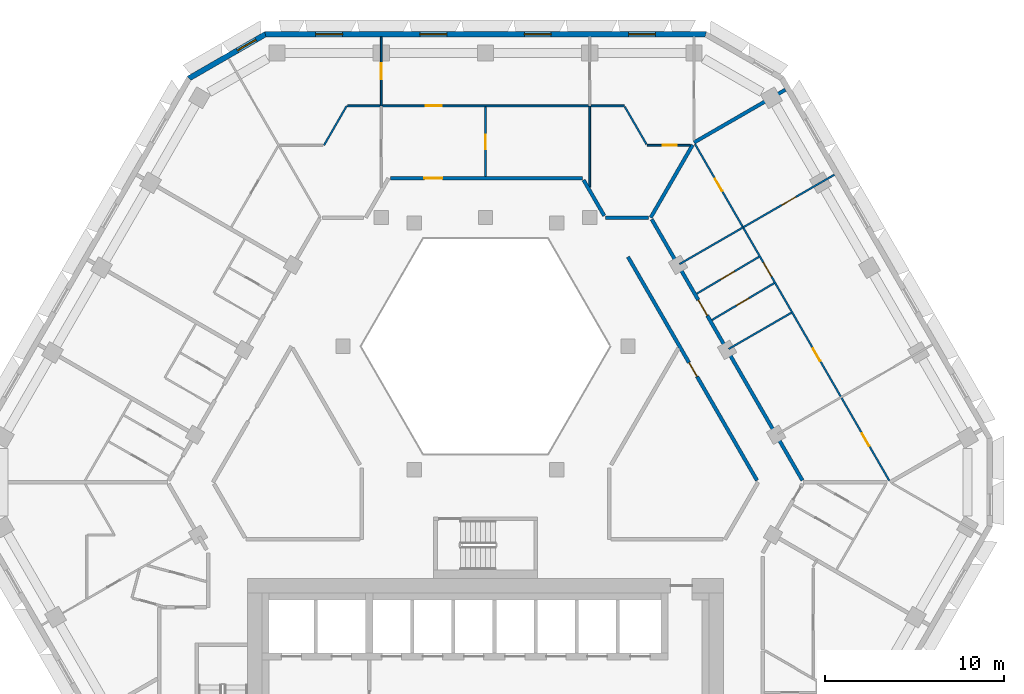
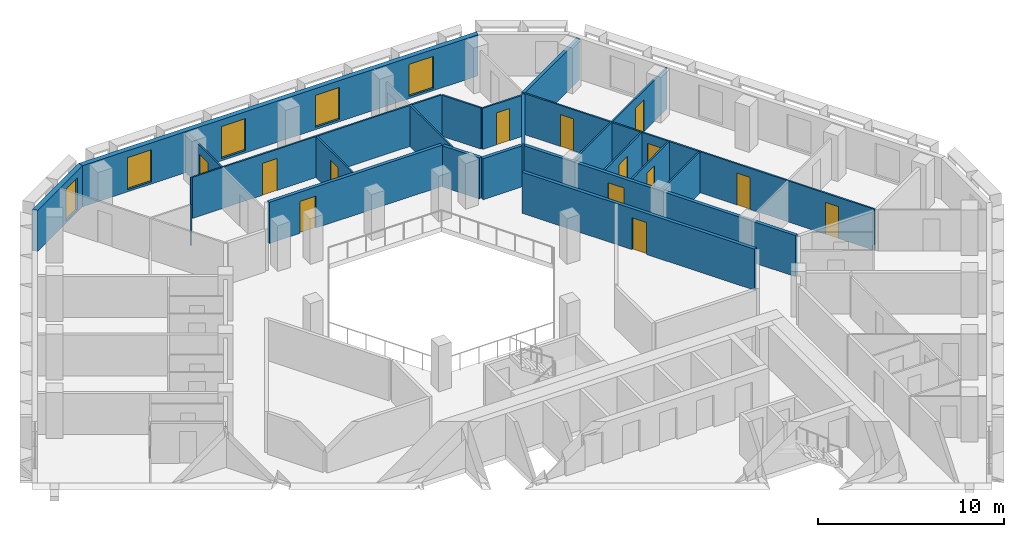
# One storey, part 8 of 15: 22 walls, 14 doors, 5 windows, 19 openings.
"""IFC4 building model written with IfcOpenShell, lengths in metres."""

from ifc_helpers import new_model, si_unit, direction, frame, frame_2d, origin, place, context, subcontext, project, spatial, polyline, rectangle, outline, extrude, material, layer, layer_set, type_object, element, fill, save


model = new_model("IFC4")

# Units and contexts
model_context = context("Model", 3, precision=1e-05, world=origin(), true_north=direction((0.0, 1.0)))
body_context = subcontext(model_context, "Body", "Model", "MODEL_VIEW")
ifc_project = project(units=[si_unit("LENGTHUNIT", "METRE"), si_unit("AREAUNIT", "SQUARE_METRE"), si_unit("VOLUMEUNIT", "CUBIC_METRE"), si_unit("PLANEANGLEUNIT", "RADIAN"), si_unit("MASSUNIT", "GRAM", prefix="KILO")], contexts=[model_context])

# Site, building, storey
site_placement = place(None, origin())
site = spatial("IfcSite", under=ifc_project, at=site_placement, CompositionType="ELEMENT")
building_placement = place(site_placement, origin())
building = spatial("IfcBuilding", under=site, at=building_placement, Name="Beryl Residences", CompositionType="ELEMENT")
storey_placement = place(building_placement, frame((0.0, 0.0, 135.60009765625)))
storey = spatial("IfcBuildingStorey", under=building, at=storey_placement, Name="L41", CompositionType="ELEMENT", Elevation=135.60009765625)

# Wall, openings, windows
ifc_material_1 = material(Name="Composite metal panel with mineral wool insulation")
ifc_layer_1 = layer(ifc_material_1, 0.300048828125)
ifc_layer_set_1 = layer_set([ifc_layer_1], Name="ES1 pale metal composite panel wall 300 mm")
wall_type_1 = type_object("IfcWallType", Name="ES1 pale metal composite panel wall 300 mm", PredefinedType="SOLIDWALL", material=ifc_layer_set_1)
wall_1_placement = place(storey_placement, frame((12.35498046875, 25.449951171875, 0.0), z_axis=(0.0, 0.0, 1.0), x_axis=(-1.0, 0.0, 0.0)))
wall_1 = element("IfcWall", 1, at=wall_1_placement, inside=storey, type_object=wall_type_1, Name="ES1 external wall L41 N", PredefinedType="SOLIDWALL", context=body_context, shape_type="SweptSolid", body=[
    extrude(outline(polyline([(0.0, -0.14990234375), (24.7099609375, -0.14990234375), (24.629638671875, 0.14990234375), (0.080322265625, 0.14990234375), (0.0, -0.14990234375)])), origin(), (0.0, 0.0, 1.0), 2.699951171875),
])
opening_1_placement = place(wall_1_placement, frame((2.85791015625, 0.0, 0.14990234375)))
opening_1 = element("IfcOpeningElement", 2, at=opening_1_placement, cuts=wall_1, Name="Opening W1", PredefinedType="OPENING", context=body_context, shape_type="SweptSolid", body=[
    extrude(rectangle(XDim=1.5, YDim=2.10009765625, at=frame_2d((0.75, 1.050048828125))), frame((0.0, 0.159912109375, 0.0), z_axis=(0.0, -1.0, 0.0), x_axis=(1.0, 0.0, 0.0)), (0.0, 0.0, 1.0), 0.320068359375),
])
opening_2_placement = place(wall_1_placement, frame((8.68896484375, 0.0, 0.14990234375)))
opening_2 = element("IfcOpeningElement", 3, at=opening_2_placement, cuts=wall_1, Name="Opening W1", PredefinedType="OPENING", context=body_context, shape_type="SweptSolid", body=[
    extrude(rectangle(XDim=1.5, YDim=2.10009765625, at=frame_2d((0.75, 1.050048828125))), frame((0.0, 0.159912109375, 0.0), z_axis=(0.0, -1.0, 0.0), x_axis=(1.0, 0.0, 0.0)), (0.0, 0.0, 1.0), 0.320068359375),
])
opening_3_placement = place(wall_1_placement, frame((14.52099609375, 0.0, 0.14990234375)))
opening_3 = element("IfcOpeningElement", 4, at=opening_3_placement, cuts=wall_1, Name="Opening W1", PredefinedType="OPENING", context=body_context, shape_type="SweptSolid", body=[
    extrude(rectangle(XDim=1.5, YDim=2.10009765625, at=frame_2d((0.75, 1.050048828125))), frame((0.0, 0.159912109375, 0.0), z_axis=(0.0, -1.0, 0.0), x_axis=(1.0, 0.0, 0.0)), (0.0, 0.0, 1.0), 0.320068359375),
])
opening_4_placement = place(wall_1_placement, frame((20.35205078125, 0.0, 0.14990234375)))
opening_4 = element("IfcOpeningElement", 5, at=opening_4_placement, cuts=wall_1, Name="Opening W1", PredefinedType="OPENING", context=body_context, shape_type="SweptSolid", body=[
    extrude(rectangle(XDim=1.5, YDim=2.10009765625, at=frame_2d((0.75, 1.050048828125))), frame((0.0, 0.159912109375, 0.0), z_axis=(0.0, -1.0, 0.0), x_axis=(1.0, 0.0, 0.0)), (0.0, 0.0, 1.0), 0.320068359375),
])
ifc_material_2 = material(Name="Aluminium and clear glass", Category="aluminium")
window_type_1 = type_object("IfcWindowType", Name="W1 cell window 1500 x 2100 mm", PartitioningType="SINGLE_PANEL", PredefinedType="WINDOW", material=ifc_material_2)
window_1_placement = place(opening_1_placement, origin())
window_1 = element("IfcWindow", 6, at=window_1_placement, inside=storey, type_object=window_type_1, Name="W1 window L41 N 2", OverallHeight=2.10009765625, OverallWidth=1.5, PartitioningType="SINGLE_PANEL", PredefinedType="WINDOW", context=body_context, shape_type="SweptSolid", body=[
    extrude(rectangle(XDim=1.5, YDim=2.10009765625, at=frame_2d((0.75, 1.050048828125))), frame((0.0, 0.030029296875, 0.0), z_axis=(0.0, -1.0, 0.0), x_axis=(1.0, 0.0, 0.0)), (0.0, 0.0, 1.0), 0.06005859375),
])
fill(opening_1, window_1)
window_2_placement = place(opening_2_placement, origin())
window_2 = element("IfcWindow", 7, at=window_2_placement, inside=storey, type_object=window_type_1, Name="W1 window L41 N 4", OverallHeight=2.10009765625, OverallWidth=1.5, PartitioningType="SINGLE_PANEL", PredefinedType="WINDOW", context=body_context, shape_type="SweptSolid", body=[
    extrude(rectangle(XDim=1.5, YDim=2.10009765625, at=frame_2d((0.75, 1.050048828125))), frame((0.0, 0.030029296875, 0.0), z_axis=(0.0, -1.0, 0.0), x_axis=(1.0, 0.0, 0.0)), (0.0, 0.0, 1.0), 0.06005859375),
])
fill(opening_2, window_2)
window_3_placement = place(opening_3_placement, origin())
window_3 = element("IfcWindow", 8, at=window_3_placement, inside=storey, type_object=window_type_1, Name="W1 window L41 N 6", OverallHeight=2.10009765625, OverallWidth=1.5, PartitioningType="SINGLE_PANEL", PredefinedType="WINDOW", context=body_context, shape_type="SweptSolid", body=[
    extrude(rectangle(XDim=1.5, YDim=2.10009765625, at=frame_2d((0.75, 1.050048828125))), frame((0.0, 0.030029296875, 0.0), z_axis=(0.0, -1.0, 0.0), x_axis=(1.0, 0.0, 0.0)), (0.0, 0.0, 1.0), 0.06005859375),
])
fill(opening_3, window_3)
window_4_placement = place(opening_4_placement, origin())
window_4 = element("IfcWindow", 9, at=window_4_placement, inside=storey, type_object=window_type_1, Name="W1 window L41 N 8", OverallHeight=2.10009765625, OverallWidth=1.5, PartitioningType="SINGLE_PANEL", PredefinedType="WINDOW", context=body_context, shape_type="SweptSolid", body=[
    extrude(rectangle(XDim=1.5, YDim=2.10009765625, at=frame_2d((0.75, 1.050048828125))), frame((0.0, 0.030029296875, 0.0), z_axis=(0.0, -1.0, 0.0), x_axis=(1.0, 0.0, 0.0)), (0.0, 0.0, 1.0), 0.06005859375),
])
fill(opening_4, window_4)

# Wall, opening, window
wall_2_placement = place(storey_placement, frame((-12.280029296875, 25.469970703125, 0.0), z_axis=(0.0, 0.0, 1.0), x_axis=(-0.866022959057, -0.500004234368, 0.0)))
wall_2 = element("IfcWall", 10, at=wall_2_placement, inside=storey, type_object=wall_type_1, Name="ES1 external wall L41 N-NW", PredefinedType="SOLIDWALL", context=body_context, shape_type="SweptSolid", body=[
    extrude(outline(polyline([(0.0, -0.14990234375), (5.0, -0.14990234375), (4.919677734375, 0.14990234375), (0.080322265625, 0.14990234375), (0.0, -0.14990234375)])), origin(), (0.0, 0.0, 1.0), 2.699951171875),
])
opening_5_placement = place(wall_2_placement, frame((0.64990234375, 0.0, 0.14990234375)))
opening_5 = element("IfcOpeningElement", 11, at=opening_5_placement, cuts=wall_2, Name="Opening W2", PredefinedType="OPENING", context=body_context, shape_type="SweptSolid", body=[
    extrude(rectangle(XDim=1.199951171875, YDim=2.10009765625, at=frame_2d((0.60009765625, 1.050048828125))), frame((0.0, 0.159912109375, 0.0), z_axis=(0.0, -1.0, 0.0), x_axis=(1.0, 0.0, 0.0)), (0.0, 0.0, 1.0), 0.320068359375),
])
ifc_material_3 = material(Name="Aluminium and clear glass", Category="aluminium")
window_type_2 = type_object("IfcWindowType", Name="W2 chamfer window 1200 x 2100 mm", PartitioningType="SINGLE_PANEL", PredefinedType="WINDOW", material=ifc_material_3)
window_5_placement = place(opening_5_placement, origin())
window_5 = element("IfcWindow", 12, at=window_5_placement, inside=storey, type_object=window_type_2, Name="W2 window L41 N-NW 1", OverallHeight=2.10009765625, OverallWidth=1.199951171875, PartitioningType="SINGLE_PANEL", PredefinedType="WINDOW", context=body_context, shape_type="SweptSolid", body=[
    extrude(rectangle(XDim=1.199951171875, YDim=2.10009765625, at=frame_2d((0.60009765625, 1.050048828125))), frame((0.0, 0.030029296875, 0.0), z_axis=(0.0, -1.0, 0.0), x_axis=(1.0, 0.0, 0.0)), (0.0, 0.0, 1.0), 0.06005859375),
])
fill(opening_5, window_5)

# Wall
ifc_material_4 = material(Name="Gypsum board partition on steel studs", Category="steel")
ifc_layer_2 = layer(ifc_material_4, 0.10009765625)
ifc_layer_set_2 = layer_set([ifc_layer_2], Name="PT1 partition 100 mm gypsum board on steel studs")
wall_type_2 = type_object("IfcWallType", Name="PT1 partition 100 mm gypsum board on steel studs", PredefinedType="PARTITIONING", material=ifc_layer_set_2)
wall_3_placement = place(storey_placement, frame((7.7919921875, 21.39599609375, 0.0), z_axis=(0.0, 0.0, 1.0), x_axis=(0.50012328804, -0.865954211699, 0.0)))
element("IfcWall", 13, at=wall_3_placement, inside=storey, type_object=wall_type_2, Name="Wall PT1 L41 003", PredefinedType="PARTITIONING", context=body_context, shape_type="SweptSolid", body=[
    extrude(rectangle(XDim=2.42529296875, YDim=0.10009765625, at=frame_2d((1.212646484375, 0.0))), origin(), (0.0, 0.0, 1.0), 2.699951171875),
])

# Wall, openings, doors
wall_4_placement = place(storey_placement, frame((11.712890625, 19.31298828125, 0.0), z_axis=(0.0, 0.0, 1.0), x_axis=(0.499999523185, -0.866025679073, 0.0)))
wall_4 = element("IfcWall", 14, at=wall_4_placement, inside=storey, type_object=wall_type_2, Name="Wall PT1 L41 004", PredefinedType="PARTITIONING", context=body_context, shape_type="SweptSolid", body=[
    extrude(rectangle(XDim=21.73828125, YDim=0.10009765625, at=frame_2d((10.869140625, 0.0))), origin(), (0.0, 0.0, 1.0), 2.699951171875),
])
opening_6_placement = place(wall_4_placement, frame((7.654052734375, 0.0, 0.0)))
opening_6 = element("IfcOpeningElement", 15, at=opening_6_placement, cuts=wall_4, Name="Opening D1322", PredefinedType="OPENING", context=body_context, shape_type="SweptSolid", body=[
    extrude(rectangle(XDim=0.89990234375, YDim=2.10009765625, at=frame_2d((0.449951171875, 1.050048828125))), frame((0.0, 0.06005859375, 0.0), z_axis=(0.0, -1.0, 0.0), x_axis=(1.0, 0.0, 0.0)), (0.0, 0.0, 1.0), 0.1201171875),
])
opening_7_placement = place(wall_4_placement, frame((13.201904296875, 0.0, 0.0)))
opening_7 = element("IfcOpeningElement", 16, at=opening_7_placement, cuts=wall_4, Name="Opening D1325", PredefinedType="OPENING", context=body_context, shape_type="SweptSolid", body=[
    extrude(rectangle(XDim=0.800048828125, YDim=2.10009765625, at=frame_2d((0.39990234375, 1.050048828125))), frame((0.0, 0.06005859375, 0.0), z_axis=(0.0, -1.0, 0.0), x_axis=(1.0, 0.0, 0.0)), (0.0, 0.0, 1.0), 0.1201171875),
])
opening_8_placement = place(wall_4_placement, frame((2.241943359375, 0.0, 0.0)))
opening_8 = element("IfcOpeningElement", 17, at=opening_8_placement, cuts=wall_4, Name="Opening D1326", PredefinedType="OPENING", context=body_context, shape_type="SweptSolid", body=[
    extrude(rectangle(XDim=0.800048828125, YDim=2.10009765625, at=frame_2d((0.39990234375, 1.050048828125))), frame((0.0, 0.06005859375, 0.0), z_axis=(0.0, -1.0, 0.0), x_axis=(1.0, 0.0, 0.0)), (0.0, 0.0, 1.0), 0.1201171875),
])
opening_9_placement = place(wall_4_placement, frame((18.696044921875, 0.0, 0.0)))
opening_9 = element("IfcOpeningElement", 18, at=opening_9_placement, cuts=wall_4, Name="Opening D1327", PredefinedType="OPENING", context=body_context, shape_type="SweptSolid", body=[
    extrude(rectangle(XDim=0.800048828125, YDim=2.10009765625, at=frame_2d((0.39990234375, 1.050048828125))), frame((0.0, 0.06005859375, 0.0), z_axis=(0.0, -1.0, 0.0), x_axis=(1.0, 0.0, 0.0)), (0.0, 0.0, 1.0), 0.1201171875),
])
ifc_material_5 = material(Name="Timber door leaf", Category="wood")
door_type_1 = type_object("IfcDoorType", Name="D2 room door 900 x 2100 mm", OperationType="SINGLE_SWING_LEFT", PredefinedType="DOOR", material=ifc_material_5)
door_1_placement = place(opening_6_placement, origin())
door_1 = element("IfcDoor", 19, at=door_1_placement, inside=storey, type_object=door_type_1, Name="Door D1322 L41 001", OperationType="SINGLE_SWING_RIGHT", OverallHeight=2.10009765625, OverallWidth=0.89990234375, PredefinedType="DOOR", context=body_context, shape_type="SweptSolid", body=[
    extrude(rectangle(XDim=0.89990234375, YDim=2.10009765625, at=frame_2d((0.449951171875, 1.050048828125))), frame((0.0, 0.02490234375, 0.0), z_axis=(0.0, -1.0, 0.0), x_axis=(1.0, 0.0, 0.0)), (0.0, 0.0, 1.0), 0.050048828125),
])
fill(opening_6, door_1)
ifc_material_6 = material(Name="Timber door leaf", Category="wood")
door_type_2 = type_object("IfcDoorType", Name="D3 bathroom door 800 x 2100 mm", OperationType="SINGLE_SWING_LEFT", PredefinedType="DOOR", material=ifc_material_6)
door_2_placement = place(opening_7_placement, origin())
door_2 = element("IfcDoor", 20, at=door_2_placement, inside=storey, type_object=door_type_2, Name="Door D1325 L41 001", OperationType="SINGLE_SWING_LEFT", OverallHeight=2.10009765625, OverallWidth=0.800048828125, PredefinedType="DOOR", context=body_context, shape_type="SweptSolid", body=[
    extrude(rectangle(XDim=0.800048828125, YDim=2.10009765625, at=frame_2d((0.39990234375, 1.050048828125))), frame((0.0, 0.02490234375, 0.0), z_axis=(0.0, -1.0, 0.0), x_axis=(1.0, 0.0, 0.0)), (0.0, 0.0, 1.0), 0.050048828125),
])
fill(opening_7, door_2)
door_3_placement = place(opening_8_placement, origin())
door_3 = element("IfcDoor", 21, at=door_3_placement, inside=storey, type_object=door_type_2, Name="Door D1326 L41 001", OperationType="SINGLE_SWING_RIGHT", OverallHeight=2.10009765625, OverallWidth=0.800048828125, PredefinedType="DOOR", context=body_context, shape_type="SweptSolid", body=[
    extrude(rectangle(XDim=0.800048828125, YDim=2.10009765625, at=frame_2d((0.39990234375, 1.050048828125))), frame((0.0, 0.02490234375, 0.0), z_axis=(0.0, -1.0, 0.0), x_axis=(1.0, 0.0, 0.0)), (0.0, 0.0, 1.0), 0.050048828125),
])
fill(opening_8, door_3)
door_4_placement = place(opening_9_placement, origin())
door_4 = element("IfcDoor", 22, at=door_4_placement, inside=storey, type_object=door_type_2, Name="Door D1327 L41 001", OperationType="SINGLE_SWING_LEFT", OverallHeight=2.10009765625, OverallWidth=0.800048828125, PredefinedType="DOOR", context=body_context, shape_type="SweptSolid", body=[
    extrude(rectangle(XDim=0.800048828125, YDim=2.10009765625, at=frame_2d((0.39990234375, 1.050048828125))), frame((0.0, 0.02490234375, 0.0), z_axis=(0.0, -1.0, 0.0), x_axis=(1.0, 0.0, 0.0)), (0.0, 0.0, 1.0), 0.050048828125),
])
fill(opening_9, door_4)

# Wall, opening, door
wall_5_placement = place(storey_placement, frame((9.032958984375, 19.24609375, 0.0), z_axis=(0.0, 0.0, 1.0), x_axis=(1.0, 0.0, 0.0)))
wall_5 = element("IfcWall", 23, at=wall_5_placement, inside=storey, type_object=wall_type_2, Name="Wall PT1 L41 026", PredefinedType="PARTITIONING", context=body_context, shape_type="SweptSolid", body=[
    extrude(rectangle(XDim=2.425048828125, YDim=0.10009765625, at=frame_2d((1.21240234375, 0.0))), origin(), (0.0, 0.0, 1.0), 2.699951171875),
])
opening_10_placement = place(wall_5_placement, frame((0.8701171875, 0.0, 0.0)))
opening_10 = element("IfcOpeningElement", 24, at=opening_10_placement, cuts=wall_5, Name="Opening D1336", PredefinedType="OPENING", context=body_context, shape_type="SweptSolid", body=[
    extrude(rectangle(XDim=0.800048828125, YDim=2.10009765625, at=frame_2d((0.39990234375, 1.050048828125))), frame((0.0, 0.06005859375, 0.0), z_axis=(0.0, -1.0, 0.0), x_axis=(1.0, 0.0, 0.0)), (0.0, 0.0, 1.0), 0.1201171875),
])
door_5_placement = place(opening_10_placement, origin())
door_5 = element("IfcDoor", 25, at=door_5_placement, inside=storey, type_object=door_type_2, Name="Door D1336 L41 001", OperationType="SINGLE_SWING_RIGHT", OverallHeight=2.10009765625, OverallWidth=0.800048828125, PredefinedType="DOOR", context=body_context, shape_type="SweptSolid", body=[
    extrude(rectangle(XDim=0.800048828125, YDim=2.10009765625, at=frame_2d((0.39990234375, 1.050048828125))), frame((0.0, 0.02490234375, 0.0), z_axis=(0.0, -1.0, 0.0), x_axis=(1.0, 0.0, 0.0)), (0.0, 0.0, 1.0), 0.050048828125),
])
fill(opening_10, door_5)

wall_6_placement = place(storey_placement, frame((-7.7060546875, 21.446044921875, 0.0), z_axis=(0.0, 0.0, 1.0), x_axis=(1.0, 0.0, 0.0)))
wall_6 = element("IfcWall", 26, at=wall_6_placement, inside=storey, type_object=wall_type_2, Name="Wall PT1 L41 027", PredefinedType="PARTITIONING", context=body_context, shape_type="SweptSolid", body=[
    extrude(rectangle(XDim=15.468994140625, YDim=0.10009765625, at=frame_2d((7.734375, 0.0))), origin(), (0.0, 0.0, 1.0), 2.699951171875),
])
opening_11_placement = place(wall_6_placement, frame((4.35009765625, 0.0, 0.0)))
opening_11 = element("IfcOpeningElement", 27, at=opening_11_placement, cuts=wall_6, Name="Opening D1329", PredefinedType="OPENING", context=body_context, shape_type="SweptSolid", body=[
    extrude(rectangle(XDim=0.89990234375, YDim=2.10009765625, at=frame_2d((0.449951171875, 1.050048828125))), frame((0.0, 0.06005859375, 0.0), z_axis=(0.0, -1.0, 0.0), x_axis=(1.0, 0.0, 0.0)), (0.0, 0.0, 1.0), 0.1201171875),
])
door_6_placement = place(opening_11_placement, origin())
door_6 = element("IfcDoor", 28, at=door_6_placement, inside=storey, type_object=door_type_1, Name="Door D1329 L41 001", OperationType="SINGLE_SWING_LEFT", OverallHeight=2.10009765625, OverallWidth=0.89990234375, PredefinedType="DOOR", context=body_context, shape_type="SweptSolid", body=[
    extrude(rectangle(XDim=0.89990234375, YDim=2.10009765625, at=frame_2d((0.449951171875, 1.050048828125))), frame((0.0, 0.02490234375, 0.0), z_axis=(0.0, -1.0, 0.0), x_axis=(1.0, 0.0, 0.0)), (0.0, 0.0, 1.0), 0.050048828125),
])
fill(opening_11, door_6)

# Walls
wall_7_placement = place(storey_placement, frame((-9.032958984375, 19.24609375, 0.0), z_axis=(0.0, 0.0, 1.0), x_axis=(0.499963722229, 0.866046347752, 0.0)))
element("IfcWall", 29, at=wall_7_placement, inside=storey, type_object=wall_type_2, Name="Wall PT1 L41 030", PredefinedType="PARTITIONING", context=body_context, shape_type="SweptSolid", body=[
    extrude(rectangle(XDim=2.540283203125, YDim=0.10009765625, at=frame_2d((1.27001953125, 0.0))), origin(), (0.0, 0.0, 1.0), 2.699951171875),
])
wall_8_placement = place(storey_placement, frame((5.8310546875, 16.89990234375, 0.0), z_axis=(0.0, 0.0, 1.0), x_axis=(0.0, 1.0, 0.0)))
element("IfcWall", 30, at=wall_8_placement, inside=storey, type_object=wall_type_2, Name="Wall PT1 L41 038", PredefinedType="PARTITIONING", context=body_context, shape_type="SweptSolid", body=[
    extrude(rectangle(XDim=4.546142578125, YDim=0.10009765625, at=frame_2d((2.27294921875, 0.0))), origin(), (0.0, 0.0, 1.0), 2.699951171875),
])

# Wall, opening, door
wall_9_placement = place(storey_placement, frame((0.0, 17.5, 0.0), z_axis=(0.0, 0.0, 1.0), x_axis=(0.0, 1.0, 0.0)))
wall_9 = element("IfcWall", 31, at=wall_9_placement, inside=storey, type_object=wall_type_2, Name="Wall PT1 L41 043", PredefinedType="PARTITIONING", context=body_context, shape_type="SweptSolid", body=[
    extrude(rectangle(XDim=3.89599609375, YDim=0.10009765625, at=frame_2d((1.947998046875, 0.0))), origin(), (0.0, 0.0, 1.0), 2.699951171875),
])
opening_12_placement = place(wall_9_placement, frame((1.52294921875, 0.0, 0.0)))
opening_12 = element("IfcOpeningElement", 32, at=opening_12_placement, cuts=wall_9, Name="Opening D1331", PredefinedType="OPENING", context=body_context, shape_type="SweptSolid", body=[
    extrude(rectangle(XDim=0.800048828125, YDim=2.10009765625, at=frame_2d((0.39990234375, 1.050048828125))), frame((0.0, 0.06005859375, 0.0), z_axis=(0.0, -1.0, 0.0), x_axis=(1.0, 0.0, 0.0)), (0.0, 0.0, 1.0), 0.1201171875),
])
door_7_placement = place(opening_12_placement, origin())
door_7 = element("IfcDoor", 33, at=door_7_placement, inside=storey, type_object=door_type_2, Name="Door D1331 L41 001", OperationType="SINGLE_SWING_LEFT", OverallHeight=2.10009765625, OverallWidth=0.800048828125, PredefinedType="DOOR", context=body_context, shape_type="SweptSolid", body=[
    extrude(rectangle(XDim=0.800048828125, YDim=2.10009765625, at=frame_2d((0.39990234375, 1.050048828125))), frame((0.0, 0.02490234375, 0.0), z_axis=(0.0, -1.0, 0.0), x_axis=(1.0, 0.0, 0.0)), (0.0, 0.0, 1.0), 0.050048828125),
])
fill(opening_12, door_7)

# Walls
wall_10_placement = place(storey_placement, frame((13.596923828125, 7.85009765625, 0.0), z_axis=(0.0, 0.0, 1.0), x_axis=(0.866015917575, 0.500016430238, 0.0)))
element("IfcWall", 34, at=wall_10_placement, inside=storey, type_object=wall_type_2, Name="Wall PT1 L41 048", PredefinedType="PARTITIONING", context=body_context, shape_type="SweptSolid", body=[
    extrude(rectangle(XDim=4.049560546875, YDim=0.10009765625, at=frame_2d((2.02490234375, 0.0))), origin(), (0.0, 0.0, 1.0), 2.699951171875),
])
wall_11_placement = place(storey_placement, frame((10.85400390625, 12.60009765625, 0.0), z_axis=(0.0, 0.0, 1.0), x_axis=(0.86606561423, 0.499930346997, 0.0)))
element("IfcWall", 35, at=wall_11_placement, inside=storey, type_object=wall_type_2, Name="Wall PT1 L41 049", PredefinedType="PARTITIONING", context=body_context, shape_type="SweptSolid", body=[
    extrude(rectangle(XDim=4.10009765625, YDim=0.10009765625, at=frame_2d((2.050048828125, 0.0))), origin(), (0.0, 0.0, 1.0), 2.699951171875),
])

# Wall, opening, door
wall_12_placement = place(storey_placement, frame((11.81201171875, 10.94189453125, 0.0), z_axis=(0.0, 0.0, 1.0), x_axis=(0.860404104761, 0.509612378687, 0.0)))
wall_12 = element("IfcWall", 36, at=wall_12_placement, inside=storey, type_object=wall_type_2, Name="Wall PT1 L41 051", PredefinedType="PARTITIONING", context=body_context, shape_type="SweptSolid", body=[
    extrude(rectangle(XDim=4.050537109375, YDim=0.10009765625, at=frame_2d((2.025390625, 0.0))), origin(), (0.0, 0.0, 1.0), 2.699951171875),
])
opening_13_placement = place(wall_12_placement, frame((1.550048828125, 0.0, 0.0)))
opening_13 = element("IfcOpeningElement", 37, at=opening_13_placement, cuts=wall_12, Name="Opening D1321", PredefinedType="OPENING", context=body_context, shape_type="SweptSolid", body=[
    extrude(rectangle(XDim=0.89990234375, YDim=2.10009765625, at=frame_2d((0.449951171875, 1.050048828125))), frame((0.0, 0.06005859375, 0.0), z_axis=(0.0, -1.0, 0.0), x_axis=(1.0, 0.0, 0.0)), (0.0, 0.0, 1.0), 0.1201171875),
])
door_8_placement = place(opening_13_placement, origin())
door_8 = element("IfcDoor", 38, at=door_8_placement, inside=storey, type_object=door_type_1, Name="Door D1321 L41 001", OperationType="SINGLE_SWING_LEFT", OverallHeight=2.10009765625, OverallWidth=0.89990234375, PredefinedType="DOOR", context=body_context, shape_type="SweptSolid", body=[
    extrude(rectangle(XDim=0.89990234375, YDim=2.10009765625, at=frame_2d((0.449951171875, 1.050048828125))), frame((0.0, 0.02490234375, 0.0), z_axis=(0.0, -1.0, 0.0), x_axis=(1.0, 0.0, 0.0)), (0.0, 0.0, 1.0), 0.050048828125),
])
fill(opening_13, door_8)

wall_13_placement = place(storey_placement, frame((12.662109375, 9.469970703125, 0.0), z_axis=(0.0, 0.0, 1.0), x_axis=(0.860520594262, 0.509415652341, 0.0)))
wall_13 = element("IfcWall", 39, at=wall_13_placement, inside=storey, type_object=wall_type_2, Name="Wall PT1 L41 052", PredefinedType="PARTITIONING", context=body_context, shape_type="SweptSolid", body=[
    extrude(rectangle(XDim=4.0498046875, YDim=0.10009765625, at=frame_2d((2.02490234375, 0.0))), origin(), (0.0, 0.0, 1.0), 2.699951171875),
])
opening_14_placement = place(wall_13_placement, frame((1.60009765625, 0.0, 0.0)))
opening_14 = element("IfcOpeningElement", 40, at=opening_14_placement, cuts=wall_13, Name="Opening D1320", PredefinedType="OPENING", context=body_context, shape_type="SweptSolid", body=[
    extrude(rectangle(XDim=0.800048828125, YDim=2.10009765625, at=frame_2d((0.39990234375, 1.050048828125))), frame((0.0, 0.06005859375, 0.0), z_axis=(0.0, -1.0, 0.0), x_axis=(1.0, 0.0, 0.0)), (0.0, 0.0, 1.0), 0.1201171875),
])
door_9_placement = place(opening_14_placement, origin())
door_9 = element("IfcDoor", 41, at=door_9_placement, inside=storey, type_object=door_type_2, Name="Door D1320 L41 001", OperationType="SINGLE_SWING_RIGHT", OverallHeight=2.10009765625, OverallWidth=0.800048828125, PredefinedType="DOOR", context=body_context, shape_type="SweptSolid", body=[
    extrude(rectangle(XDim=0.800048828125, YDim=2.10009765625, at=frame_2d((0.39990234375, 1.050048828125))), frame((0.0, 0.02490234375, 0.0), z_axis=(0.0, -1.0, 0.0), x_axis=(1.0, 0.0, 0.0)), (0.0, 0.0, 1.0), 0.050048828125),
])
fill(opening_14, door_9)

wall_14_placement = place(storey_placement, frame((14.405029296875, 14.64990234375, 0.0), z_axis=(0.0, 0.0, 1.0), x_axis=(0.866054644421, 0.499949350311, 0.0)))
wall_14 = element("IfcWall", 42, at=wall_14_placement, inside=storey, type_object=wall_type_2, Name="Wall PT1 L41 054", PredefinedType="PARTITIONING", context=body_context, shape_type="SweptSolid", body=[
    extrude(rectangle(XDim=5.89892578125, YDim=0.10009765625, at=frame_2d((2.949462890625, 0.0))), origin(), (0.0, 0.0, 1.0), 2.699951171875),
])
opening_15_placement = place(wall_14_placement, frame((2.5, 0.0, 0.0)))
opening_15 = element("IfcOpeningElement", 43, at=opening_15_placement, cuts=wall_14, Name="Opening D1324", PredefinedType="OPENING", context=body_context, shape_type="SweptSolid", body=[
    extrude(rectangle(XDim=0.89990234375, YDim=2.10009765625, at=frame_2d((0.449951171875, 1.050048828125))), frame((0.0, 0.06005859375, 0.0), z_axis=(0.0, -1.0, 0.0), x_axis=(1.0, 0.0, 0.0)), (0.0, 0.0, 1.0), 0.1201171875),
])
door_10_placement = place(opening_15_placement, origin())
door_10 = element("IfcDoor", 44, at=door_10_placement, inside=storey, type_object=door_type_1, Name="Door D1324 L41 001", OperationType="SINGLE_SWING_RIGHT", OverallHeight=2.10009765625, OverallWidth=0.89990234375, PredefinedType="DOOR", context=body_context, shape_type="SweptSolid", body=[
    extrude(rectangle(XDim=0.89990234375, YDim=2.10009765625, at=frame_2d((0.449951171875, 1.050048828125))), frame((0.0, 0.02490234375, 0.0), z_axis=(0.0, -1.0, 0.0), x_axis=(1.0, 0.0, 0.0)), (0.0, 0.0, 1.0), 0.050048828125),
])
fill(opening_15, door_10)

wall_15_placement = place(storey_placement, frame((-5.8310546875, 21.446044921875, 0.0), z_axis=(0.0, 0.0, 1.0), x_axis=(0.0, 1.0, 0.0)))
wall_15 = element("IfcWall", 45, at=wall_15_placement, inside=storey, type_object=wall_type_2, Name="Wall PT1 L41 056", PredefinedType="PARTITIONING", context=body_context, shape_type="SweptSolid", body=[
    extrude(rectangle(XDim=3.85400390625, YDim=0.10009765625, at=frame_2d((1.927001953125, 0.0))), origin(), (0.0, 0.0, 1.0), 2.699951171875),
])
opening_16_placement = place(wall_15_placement, frame((1.47705078125, 0.0, 0.0)))
opening_16 = element("IfcOpeningElement", 46, at=opening_16_placement, cuts=wall_15, Name="Opening D1333", PredefinedType="OPENING", context=body_context, shape_type="SweptSolid", body=[
    extrude(rectangle(XDim=0.89990234375, YDim=2.10009765625, at=frame_2d((0.449951171875, 1.050048828125))), frame((0.0, 0.06005859375, 0.0), z_axis=(0.0, -1.0, 0.0), x_axis=(1.0, 0.0, 0.0)), (0.0, 0.0, 1.0), 0.1201171875),
])
door_11_placement = place(opening_16_placement, origin())
door_11 = element("IfcDoor", 47, at=door_11_placement, inside=storey, type_object=door_type_1, Name="Door D1333 L41 001", OperationType="SINGLE_SWING_LEFT", OverallHeight=2.10009765625, OverallWidth=0.89990234375, PredefinedType="DOOR", context=body_context, shape_type="SweptSolid", body=[
    extrude(rectangle(XDim=0.89990234375, YDim=2.10009765625, at=frame_2d((0.449951171875, 1.050048828125))), frame((0.0, 0.02490234375, 0.0), z_axis=(0.0, -1.0, 0.0), x_axis=(1.0, 0.0, 0.0)), (0.0, 0.0, 1.0), 0.050048828125),
])
fill(opening_16, door_11)

# Walls
ifc_material_7 = material(Name="Acoustic double stud gypsum board wall")
ifc_layer_3 = layer(ifc_material_7, 0.199951171875)
ifc_layer_set_3 = layer_set([ifc_layer_3], Name="PT3 party wall 200 mm acoustic double stud")
wall_type_3 = type_object("IfcWallType", Name="PT3 party wall 200 mm acoustic double stud", PredefinedType="PARTITIONING", material=ifc_layer_set_3)
wall_16_placement = place(storey_placement, frame((9.238037109375, 15.199951171875, 0.0), z_axis=(0.0, 0.0, 1.0), x_axis=(0.49993863487, 0.86606083006, 0.0)))
element("IfcWall", 48, at=wall_16_placement, inside=storey, type_object=wall_type_3, Name="Wall PT3 L41 008", PredefinedType="PARTITIONING", context=body_context, shape_type="SweptSolid", body=[
    extrude(rectangle(XDim=4.6923828125, YDim=0.199951171875, at=frame_2d((2.34619140625, 0.0))), origin(), (0.0, 0.0, 1.0), 2.699951171875),
])
wall_17_placement = place(storey_placement, frame((11.6630859375, 19.39990234375, 0.0), z_axis=(0.0, 0.0, 1.0), x_axis=(0.865941558533, 0.500145196124, 0.0)))
element("IfcWall", 49, at=wall_17_placement, inside=storey, type_object=wall_type_3, Name="Wall PT3 L41 014", PredefinedType="PARTITIONING", context=body_context, shape_type="SweptSolid", body=[
    extrude(rectangle(XDim=5.898681640625, YDim=0.199951171875, at=frame_2d((2.94921875, 0.0))), origin(), (0.0, 0.0, 1.0), 2.699951171875),
])
ifc_material_8 = material(Name="Double stud gypsum board wall")
ifc_layer_4 = layer(ifc_material_8, 0.199951171875)
ifc_layer_set_4 = layer_set([ifc_layer_4], Name="PT4 corridor wall 200 mm double stud")
wall_type_4 = type_object("IfcWallType", Name="PT4 corridor wall 200 mm double stud", PredefinedType="PARTITIONING", material=ifc_layer_set_4)
wall_18_placement = place(storey_placement, frame((5.485107421875, 17.300048828125, 0.0), z_axis=(0.0, 0.0, 1.0), x_axis=(0.500027479704, -0.866009537788, 0.0)))
element("IfcWall", 50, at=wall_18_placement, inside=storey, type_object=wall_type_4, Name="Wall PT4 L41 005", PredefinedType="PARTITIONING", context=body_context, shape_type="SweptSolid", body=[
    extrude(rectangle(XDim=2.309326171875, YDim=0.199951171875, at=frame_2d((1.15478515625, 0.0))), origin(), (0.0, 0.0, 1.0), 2.699951171875),
])

# Wall, opening, door
wall_19_placement = place(storey_placement, frame((7.967041015625, 13.0, 0.0), z_axis=(0.0, 0.0, 1.0), x_axis=(0.50003774998, -0.866003607726, 0.0)))
wall_19 = element("IfcWall", 51, at=wall_19_placement, inside=storey, type_object=wall_type_4, Name="Wall PT4 L41 006", PredefinedType="PARTITIONING", context=body_context, shape_type="SweptSolid", body=[
    extrude(rectangle(XDim=14.43310546875, YDim=0.199951171875, at=frame_2d((7.216552734375, 0.0))), origin(), (0.0, 0.0, 1.0), 2.699951171875),
])
opening_17_placement = place(wall_19_placement, frame((6.823974609375, 0.0, 0.0)))
opening_17 = element("IfcOpeningElement", 52, at=opening_17_placement, cuts=wall_19, Name="Opening D1357", PredefinedType="OPENING", context=body_context, shape_type="SweptSolid", body=[
    extrude(rectangle(XDim=0.89990234375, YDim=2.10009765625, at=frame_2d((0.449951171875, 1.050048828125))), frame((0.0, 0.10986328125, 0.0), z_axis=(0.0, -1.0, 0.0), x_axis=(1.0, 0.0, 0.0)), (0.0, 0.0, 1.0), 0.219970703125),
])
door_12_placement = place(opening_17_placement, origin())
door_12 = element("IfcDoor", 53, at=door_12_placement, inside=storey, type_object=door_type_1, Name="Door D1357 L41 001", OperationType="SINGLE_SWING_LEFT", OverallHeight=2.10009765625, OverallWidth=0.89990234375, PredefinedType="DOOR", context=body_context, shape_type="SweptSolid", body=[
    extrude(rectangle(XDim=0.89990234375, YDim=2.10009765625, at=frame_2d((0.449951171875, 1.050048828125))), frame((0.0, 0.02490234375, 0.0), z_axis=(0.0, -1.0, 0.0), x_axis=(1.0, 0.0, 0.0)), (0.0, 0.0, 1.0), 0.050048828125),
])
fill(opening_17, door_12)

wall_20_placement = place(storey_placement, frame((9.2958984375, 15.10009765625, 0.0), z_axis=(0.0, 0.0, 1.0), x_axis=(0.499974024244, -0.866040400375, 0.0)))
wall_20 = element("IfcWall", 54, at=wall_20_placement, inside=storey, type_object=wall_type_4, Name="Wall PT4 L41 007", PredefinedType="PARTITIONING", context=body_context, shape_type="SweptSolid", body=[
    extrude(rectangle(XDim=16.857421875, YDim=0.199951171875, at=frame_2d((8.4287109375, 0.0))), origin(), (0.0, 0.0, 1.0), 2.699951171875),
])
opening_18_placement = place(wall_20_placement, frame((5.208984375, 0.0, 0.0)))
opening_18 = element("IfcOpeningElement", 55, at=opening_18_placement, cuts=wall_20, Name="Opening D1319", PredefinedType="OPENING", context=body_context, shape_type="SweptSolid", body=[
    extrude(rectangle(XDim=1.0, YDim=2.10009765625, at=frame_2d((0.5, 1.050048828125))), frame((0.0, 0.10986328125, 0.0), z_axis=(0.0, -1.0, 0.0), x_axis=(1.0, 0.0, 0.0)), (0.0, 0.0, 1.0), 0.219970703125),
])
ifc_material_9 = material(Name="Timber door leaf", Category="wood")
door_type_3 = type_object("IfcDoorType", Name="D1 flat entrance door 1000 x 2100 mm", OperationType="SINGLE_SWING_LEFT", PredefinedType="DOOR", material=ifc_material_9)
door_13_placement = place(opening_18_placement, origin())
door_13 = element("IfcDoor", 56, at=door_13_placement, inside=storey, type_object=door_type_3, Name="Door D1319 L41 001", OperationType="SINGLE_SWING_LEFT", OverallHeight=2.10009765625, OverallWidth=1.0, PredefinedType="DOOR", context=body_context, shape_type="SweptSolid", body=[
    extrude(rectangle(XDim=1.0, YDim=2.10009765625, at=frame_2d((0.5, 1.050048828125))), frame((0.0, 0.02490234375, 0.0), z_axis=(0.0, -1.0, 0.0), x_axis=(1.0, 0.0, 0.0)), (0.0, 0.0, 1.0), 0.050048828125),
])
fill(opening_18, door_13)

# Wall
wall_21_placement = place(storey_placement, frame((6.697021484375, 15.199951171875, 0.0), z_axis=(0.0, 0.0, 1.0), x_axis=(1.0, 0.0, 0.0)))
element("IfcWall", 57, at=wall_21_placement, inside=storey, type_object=wall_type_4, Name="Wall PT4 L41 015", PredefinedType="PARTITIONING", context=body_context, shape_type="SweptSolid", body=[
    extrude(rectangle(XDim=2.425048828125, YDim=0.199951171875, at=frame_2d((1.21240234375, 0.0))), origin(), (0.0, 0.0, 1.0), 2.699951171875),
])

# Wall, opening, door
wall_22_placement = place(storey_placement, frame((-5.31201171875, 17.39990234375, 0.0), z_axis=(0.0, 0.0, 1.0), x_axis=(1.0, 0.0, 0.0)))
wall_22 = element("IfcWall", 58, at=wall_22_placement, inside=storey, type_object=wall_type_4, Name="Wall PT4 L41 016", PredefinedType="PARTITIONING", context=body_context, shape_type="SweptSolid", body=[
    extrude(rectangle(XDim=10.739013671875, YDim=0.199951171875, at=frame_2d((5.36962890625, 0.0))), origin(), (0.0, 0.0, 1.0), 2.699951171875),
])
opening_19_placement = place(wall_22_placement, frame((1.89599609375, 0.0, 0.0)))
opening_19 = element("IfcOpeningElement", 59, at=opening_19_placement, cuts=wall_22, Name="Opening D1328", PredefinedType="OPENING", context=body_context, shape_type="SweptSolid", body=[
    extrude(rectangle(XDim=1.0, YDim=2.10009765625, at=frame_2d((0.5, 1.050048828125))), frame((0.0, 0.10986328125, 0.0), z_axis=(0.0, -1.0, 0.0), x_axis=(1.0, 0.0, 0.0)), (0.0, 0.0, 1.0), 0.219970703125),
])
door_14_placement = place(opening_19_placement, origin())
door_14 = element("IfcDoor", 60, at=door_14_placement, inside=storey, type_object=door_type_3, Name="Door D1328 L41 001", OperationType="SINGLE_SWING_RIGHT", OverallHeight=2.10009765625, OverallWidth=1.0, PredefinedType="DOOR", context=body_context, shape_type="SweptSolid", body=[
    extrude(rectangle(XDim=1.0, YDim=2.10009765625, at=frame_2d((0.5, 1.050048828125))), frame((0.0, 0.02490234375, 0.0), z_axis=(0.0, -1.0, 0.0), x_axis=(1.0, 0.0, 0.0)), (0.0, 0.0, 1.0), 0.050048828125),
])
fill(opening_19, door_14)

save(model, "model.ifc")
